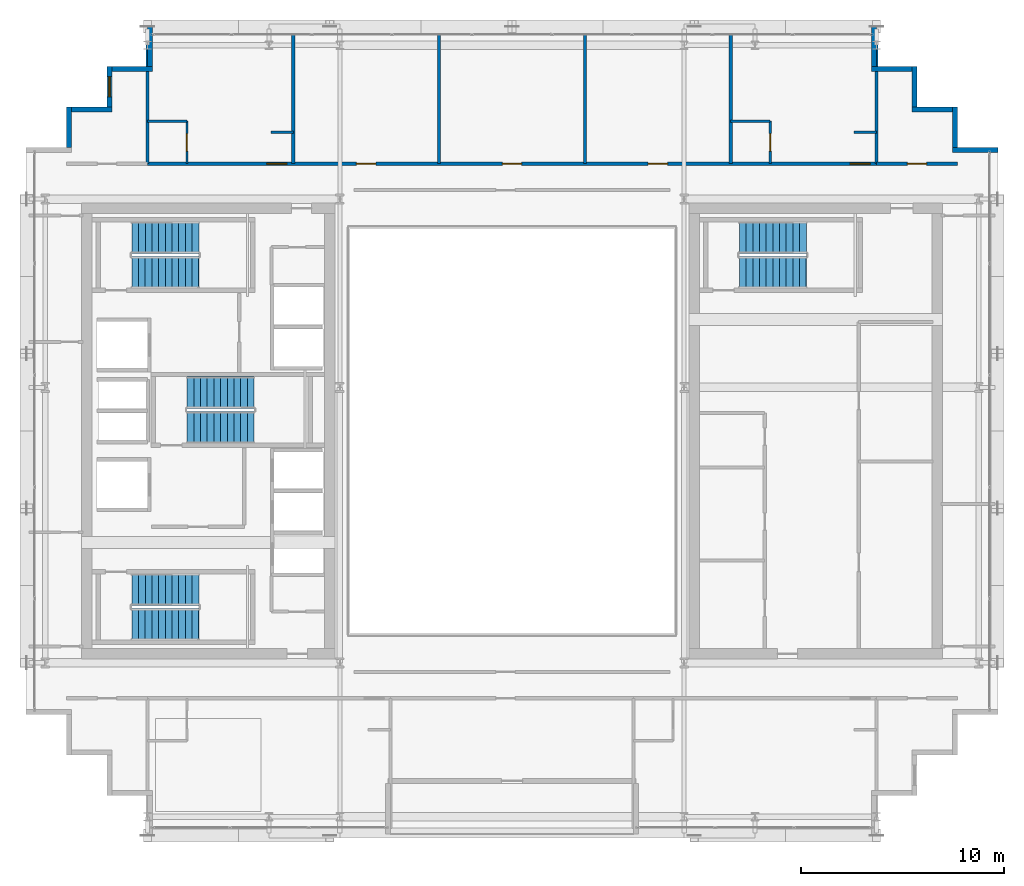
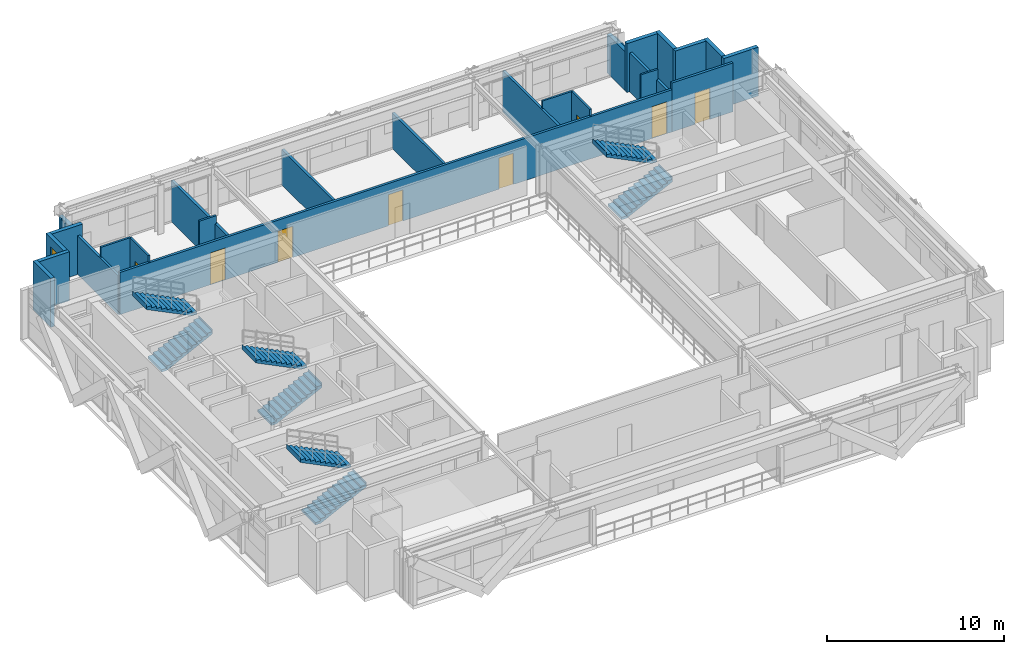
# One storey, part 27 of 31: 25 walls, 8 doors, 8 stair flights, 1 window, 9 openings, 4 elements without a shape of their own.
"""IFC4 building model written with IfcOpenShell, lengths in metres."""

from ifc_helpers import new_model, si_unit, direction, frame, frame_2d, origin, place, context, subcontext, project, spatial, polyline, rectangle, outline, extrude, source, transform, mapped, material, layer, layer_set, type_object, element, fill, aggregate, save


model = new_model("IFC4")

# Units and contexts
model_context = context("Model", 3, precision=1e-05, world=origin(), true_north=direction((0.0, 1.0)))
body_context = subcontext(model_context, "Body", "Model", "MODEL_VIEW")
ifc_project = project(units=[si_unit("LENGTHUNIT", "METRE"), si_unit("AREAUNIT", "SQUARE_METRE"), si_unit("VOLUMEUNIT", "CUBIC_METRE"), si_unit("PLANEANGLEUNIT", "RADIAN"), si_unit("MASSUNIT", "GRAM", prefix="KILO")], contexts=[model_context])

# Site, building, storey
site_placement = place(None, origin())
site = spatial("IfcSite", under=ifc_project, at=site_placement, CompositionType="ELEMENT")
building_placement = place(site_placement, origin())
building = spatial("IfcBuilding", under=site, at=building_placement, Name="Ocotamira Hotel", CompositionType="ELEMENT")
storey_placement = place(building_placement, frame((0.0, 0.0, 199.199951171875)))
storey = spatial("IfcBuildingStorey", under=building, at=storey_placement, Name="L50", CompositionType="ELEMENT", Elevation=199.199951171875)

# Walls
ifc_material_1 = material(Name="Precast concrete C45/55", Category="concrete")
ifc_layer_1 = layer(ifc_material_1, 0.25)
ifc_layer_set_1 = layer_set([ifc_layer_1], Name="Precast concrete C45/55")
wall_type_1 = type_object("IfcWallType", Name="WL-EXT-SER-250", PredefinedType="SOLIDWALL", material=ifc_layer_set_1)
wall_1_placement = place(storey_placement, frame((56.0, 39.875, 0.0), z_axis=(0.0, 0.0, 1.0), x_axis=(-1.0, 0.0, 0.0)))
element("IfcWall", 1, at=wall_1_placement, inside=storey, type_object=wall_type_1, Name="L50 Serrated Corner Wall 07", PredefinedType="SOLIDWALL", context=body_context, shape_type="SweptSolid", body=[
    extrude(rectangle(XDim=2.25, YDim=0.25, at=frame_2d((1.125, 0.0))), origin(), (0.0, 0.0, 1.0), 3.3701171875),
])
for number, where, z_axis, x_axis, name in (
    (2, (53.875, 40.0, 0.0), (0.0, 0.0, 1.0), (0.0, 1.0, 0.0), "L50 Serrated Corner Wall 08"),
    (3, (53.75, 41.875, 0.0), (0.0, 0.0, 1.0), (-1.0, 0.0, 0.0), "L50 Serrated Corner Wall 09"),
    (4, (51.875, 42.0, 0.0), (0.0, 0.0, 1.0), (0.0, 1.0, 0.0), "L50 Serrated Corner Wall 10"),
    (5, (51.75, 43.875, 0.0), (0.0, 0.0, 1.0), (-1.0, 0.0, 0.0), "L50 Serrated Corner Wall 11"),
):
    element("IfcWall", number, at=place(storey_placement, frame(where, z_axis=z_axis, x_axis=x_axis)), inside=storey, type_object=wall_type_1, Name=name, PredefinedType="SOLIDWALL", context=body_context, shape_type="SweptSolid", body=[
        extrude(rectangle(XDim=2.0, YDim=0.25, at=frame_2d((1.0, 0.0))), origin(), (0.0, 0.0, 1.0), 3.3701171875),
    ])
for number, where, z_axis, x_axis, name in (
    (6, (49.875, 44.0, 0.0), (0.0, 0.0, 1.0), (0.0, 1.0, 0.0), "L50 Serrated Corner Wall 12"),
    (7, (14.125, 46.0, 0.0), (0.0, 0.0, 1.0), (0.0, -1.0, 0.0), "L50 Serrated Corner Wall 13"),
):
    element("IfcWall", number, at=place(storey_placement, frame(where, z_axis=z_axis, x_axis=x_axis)), inside=storey, type_object=wall_type_1, Name=name, PredefinedType="SOLIDWALL", context=body_context, shape_type="SweptSolid", body=[
        extrude(rectangle(XDim=2.0, YDim=0.25, at=frame_2d((1.0, 0.0))), origin(), (0.0, 0.0, 1.0), 2.677001953125),
    ])
wall_2_placement = place(storey_placement, frame((14.25, 43.875, 0.0), z_axis=(0.0, 0.0, 1.0), x_axis=(-1.0, 0.0, 0.0)))
element("IfcWall", 8, at=wall_2_placement, inside=storey, type_object=wall_type_1, Name="L50 Serrated Corner Wall 14", PredefinedType="SOLIDWALL", context=body_context, shape_type="SweptSolid", body=[
    extrude(rectangle(XDim=2.0, YDim=0.25, at=frame_2d((1.0, 0.0))), origin(), (0.0, 0.0, 1.0), 3.3701171875),
])

# Wall, opening, window
wall_3_placement = place(storey_placement, frame((12.125, 44.0, 0.0), z_axis=(0.0, 0.0, 1.0), x_axis=(0.0, -1.0, 0.0)))
wall_3 = element("IfcWall", 9, at=wall_3_placement, inside=storey, type_object=wall_type_1, Name="L50 Serrated Corner Wall 15", PredefinedType="SOLIDWALL", context=body_context, shape_type="SweptSolid", body=[
    extrude(rectangle(XDim=2.0, YDim=0.25, at=frame_2d((1.0, 0.0))), origin(), (0.0, 0.0, 1.0), 3.3701171875),
])
opening_1_placement = place(wall_3_placement, frame((0.5, 0.0, 0.85009765625)))
opening_1 = element("IfcOpeningElement", 10, at=opening_1_placement, cuts=wall_3, Name="Opening WN-2", PredefinedType="OPENING", context=body_context, shape_type="SweptSolid", body=[
    extrude(rectangle(XDim=1.0, YDim=1.89990234375, at=frame_2d((0.5, 0.949951171875))), frame((0.0, 0.135009765625, 0.0), z_axis=(0.0, -1.0, 0.0), x_axis=(1.0, 0.0, 0.0)), (0.0, 0.0, 1.0), 0.27001953125),
])
ifc_material_2 = material(Name="Double-silver low-E solar glass", Category="glass")
window_type = type_object("IfcWindowType", Name="WIN-SER-1100", PartitioningType="SINGLE_PANEL", PredefinedType="WINDOW", material=ifc_material_2)
shared_shape_1 = source(origin(), body_context, "Body", "SweptSolid", [
    extrude(rectangle(XDim=1.0, YDim=1.89990234375, at=frame_2d((0.5, 0.949951171875))), frame((0.0, 0.030029296875, 0.0), z_axis=(0.0, -1.0, 0.0), x_axis=(1.0, 0.0, 0.0)), (0.0, 0.0, 1.0), 0.06005859375),
])
window_placement = place(opening_1_placement, origin())
window = element("IfcWindow", 11, at=window_placement, inside=storey, type_object=window_type, Name="L50 Serrated Corner Window 15", OverallHeight=1.89990234375, OverallWidth=1.0, PartitioningType="SINGLE_PANEL", PredefinedType="WINDOW", context=body_context, shape_type="MappedRepresentation", body=[
    mapped(shared_shape_1, transform((0.0, 0.0, 0.0), scale=1.0)),
])
fill(opening_1, window)

# Walls
for number, where, z_axis, x_axis, name in (
    (12, (12.25, 41.875, 0.0), (0.0, 0.0, 1.0), (-1.0, 0.0, 0.0), "L50 Serrated Corner Wall 16"),
    (13, (10.125, 42.0, 0.0), (0.0, 0.0, 1.0), (0.0, -1.0, 0.0), "L50 Serrated Corner Wall 17"),
):
    element("IfcWall", number, at=place(storey_placement, frame(where, z_axis=z_axis, x_axis=x_axis)), inside=storey, type_object=wall_type_1, Name=name, PredefinedType="SOLIDWALL", context=body_context, shape_type="SweptSolid", body=[
        extrude(rectangle(XDim=2.0, YDim=0.25, at=frame_2d((1.0, 0.0))), origin(), (0.0, 0.0, 1.0), 3.3701171875),
    ])

# Wall, opening, door
ifc_material_3 = material(Name="Acoustic double-layer fire gypsum board partition", Category="gypsum")
ifc_layer_2 = layer(ifc_material_3, 0.159912109375)
ifc_layer_set_2 = layer_set([ifc_layer_2], Name="Acoustic double-layer fire gypsum board partition")
wall_type_2 = type_object("IfcWallType", Name="WL-FIRE-160", PredefinedType="PARTITIONING", material=ifc_layer_set_2)
wall_4_placement = place(storey_placement, frame((50.0, 39.199951171875, 0.0), z_axis=(0.0, 0.0, 1.0), x_axis=(1.0, 0.0, 0.0)))
wall_4 = element("IfcWall", 14, at=wall_4_placement, inside=storey, type_object=wall_type_2, Name="L50 Interior Wall PW-L50-Z3D-CNE-CW", PredefinedType="PARTITIONING", context=body_context, shape_type="SweptSolid", body=[
    extrude(rectangle(XDim=4.0, YDim=0.159912109375, at=frame_2d((2.0, 0.0))), origin(), (0.0, 0.0, 1.0), 3.3701171875),
])
opening_2_placement = place(wall_4_placement, frame((1.52001953125, 0.0, 0.0)))
opening_2 = element("IfcOpeningElement", 15, at=opening_2_placement, cuts=wall_4, Name="Opening D-SV4", PredefinedType="OPENING", context=body_context, shape_type="SweptSolid", body=[
    extrude(rectangle(XDim=0.9599609375, YDim=2.14990234375, at=frame_2d((0.47998046875, 1.074951171875))), frame((0.0, 0.08984375, 0.0), z_axis=(0.0, -1.0, 0.0), x_axis=(1.0, 0.0, 0.0)), (0.0, 0.0, 1.0), 0.179931640625),
])
ifc_material_4 = material(Name="Fire-rated accessible walnut salon door", Category="wood")
door_type_1 = type_object("IfcDoorType", Name="DR-SERV-960", OperationType="NOTDEFINED", PredefinedType="DOOR", material=ifc_material_4)
shared_shape_2 = source(origin(), body_context, "Body", "SweptSolid", [
    extrude(rectangle(XDim=0.9599609375, YDim=2.14990234375, at=frame_2d((0.47998046875, 1.074951171875))), frame((0.0, 0.02490234375, 0.0), z_axis=(0.0, -1.0, 0.0), x_axis=(1.0, 0.0, 0.0)), (0.0, 0.0, 1.0), 0.050048828125),
])
door_1_placement = place(opening_2_placement, origin())
door_1 = element("IfcDoor", 16, at=door_1_placement, inside=storey, type_object=door_type_1, Name="L50 Door ID-L50-Z3D-CNE-CD [ID-L50-Z3D-CNE-CD]", OperationType="SINGLE_SWING_LEFT", OverallHeight=2.14990234375, OverallWidth=0.9599609375, PredefinedType="DOOR", context=body_context, shape_type="MappedRepresentation", body=[
    mapped(shared_shape_2, transform((0.0, 0.0, 0.0), scale=1.0)),
])
fill(opening_2, door_1)

# Wall, openings, doors
wall_5_placement = place(storey_placement, frame((14.0, 39.199951171875, 0.0), z_axis=(0.0, 0.0, 1.0), x_axis=(1.0, 0.0, 0.0)))
wall_5 = element("IfcWall", 17, at=wall_5_placement, inside=storey, type_object=wall_type_2, Name="L50 Interior Wall PW-L50-Z3DN-CORRW", PredefinedType="PARTITIONING", context=body_context, shape_type="SweptSolid", body=[
    extrude(rectangle(XDim=36.0, YDim=0.159912109375, at=frame_2d((18.0, 0.0))), origin(), (0.0, 0.0, 1.0), 2.9130859375),
])
opening_3_placement = place(wall_5_placement, frame((5.89990234375, 0.0, 0.0)))
opening_3 = element("IfcOpeningElement", 18, at=opening_3_placement, cuts=wall_5, Name="Opening D-GR2", PredefinedType="OPENING", context=body_context, shape_type="SweptSolid", body=[
    extrude(rectangle(XDim=0.97998046875, YDim=2.199951171875, at=frame_2d((0.489990234375, 1.10009765625))), frame((0.0, 0.08984375, 0.0), z_axis=(0.0, -1.0, 0.0), x_axis=(1.0, 0.0, 0.0)), (0.0, 0.0, 1.0), 0.179931640625),
])
opening_4_placement = place(wall_5_placement, frame((10.320068359375, 0.0, 0.0)))
opening_4 = element("IfcOpeningElement", 19, at=opening_4_placement, cuts=wall_5, Name="Opening D-SV4", PredefinedType="OPENING", context=body_context, shape_type="SweptSolid", body=[
    extrude(rectangle(XDim=0.9599609375, YDim=2.14990234375, at=frame_2d((0.47998046875, 1.074951171875))), frame((0.0, 0.08984375, 0.0), z_axis=(0.0, -1.0, 0.0), x_axis=(1.0, 0.0, 0.0)), (0.0, 0.0, 1.0), 0.179931640625),
])
opening_5_placement = place(wall_5_placement, frame((17.52001953125, 0.0, 0.0)))
opening_5 = element("IfcOpeningElement", 20, at=opening_5_placement, cuts=wall_5, Name="Opening D-SV4", PredefinedType="OPENING", context=body_context, shape_type="SweptSolid", body=[
    extrude(rectangle(XDim=0.9599609375, YDim=2.14990234375, at=frame_2d((0.47998046875, 1.074951171875))), frame((0.0, 0.08984375, 0.0), z_axis=(0.0, -1.0, 0.0), x_axis=(1.0, 0.0, 0.0)), (0.0, 0.0, 1.0), 0.179931640625),
])
opening_6_placement = place(wall_5_placement, frame((24.719970703125, 0.0, 0.0)))
opening_6 = element("IfcOpeningElement", 21, at=opening_6_placement, cuts=wall_5, Name="Opening D-SV4", PredefinedType="OPENING", context=body_context, shape_type="SweptSolid", body=[
    extrude(rectangle(XDim=0.9599609375, YDim=2.14990234375, at=frame_2d((0.47998046875, 1.074951171875))), frame((0.0, 0.08984375, 0.0), z_axis=(0.0, -1.0, 0.0), x_axis=(1.0, 0.0, 0.0)), (0.0, 0.0, 1.0), 0.179931640625),
])
opening_7_placement = place(wall_5_placement, frame((34.699951171875, 0.0, 0.0)))
opening_7 = element("IfcOpeningElement", 22, at=opening_7_placement, cuts=wall_5, Name="Opening D-GR2", PredefinedType="OPENING", context=body_context, shape_type="SweptSolid", body=[
    extrude(rectangle(XDim=0.97998046875, YDim=2.199951171875, at=frame_2d((0.489990234375, 1.10009765625))), frame((0.0, 0.08984375, 0.0), z_axis=(0.0, -1.0, 0.0), x_axis=(1.0, 0.0, 0.0)), (0.0, 0.0, 1.0), 0.179931640625),
])
door_2_placement = place(opening_4_placement, origin())
door_2 = element("IfcDoor", 23, at=door_2_placement, inside=storey, type_object=door_type_1, Name="L50 Door ID-L50-Z3DN-AMD2 [ID-L50-Z3DN-AMD2]", OperationType="SINGLE_SWING_RIGHT", OverallHeight=2.14990234375, OverallWidth=0.9599609375, PredefinedType="DOOR", context=body_context, shape_type="MappedRepresentation", body=[
    mapped(shared_shape_2, transform((0.0, 0.0, 0.0), scale=1.0)),
])
fill(opening_4, door_2)
door_3_placement = place(opening_5_placement, origin())
door_3 = element("IfcDoor", 24, at=door_3_placement, inside=storey, type_object=door_type_1, Name="L50 Door ID-L50-Z3DN-AMD3 [ID-L50-Z3DN-AMD3]", OperationType="SINGLE_SWING_LEFT", OverallHeight=2.14990234375, OverallWidth=0.9599609375, PredefinedType="DOOR", context=body_context, shape_type="MappedRepresentation", body=[
    mapped(shared_shape_2, transform((0.0, 0.0, 0.0), scale=1.0)),
])
fill(opening_5, door_3)
door_4_placement = place(opening_6_placement, origin())
door_4 = element("IfcDoor", 25, at=door_4_placement, inside=storey, type_object=door_type_1, Name="L50 Door ID-L50-Z3DN-AMD4 [ID-L50-Z3DN-AMD4]", OperationType="SINGLE_SWING_RIGHT", OverallHeight=2.14990234375, OverallWidth=0.9599609375, PredefinedType="DOOR", context=body_context, shape_type="MappedRepresentation", body=[
    mapped(shared_shape_2, transform((0.0, 0.0, 0.0), scale=1.0)),
])
fill(opening_6, door_4)
ifc_material_5 = material(Name="Solid-core walnut grand-suite entrance fire door", Category="wood")
door_type_2 = type_object("IfcDoorType", Name="DR-GUEST-980", OperationType="NOTDEFINED", PredefinedType="DOOR", material=ifc_material_5)
shared_shape_3 = source(origin(), body_context, "Body", "SweptSolid", [
    extrude(rectangle(XDim=0.97998046875, YDim=2.199951171875, at=frame_2d((0.489990234375, 1.10009765625))), frame((0.0, 0.02490234375, 0.0), z_axis=(0.0, -1.0, 0.0), x_axis=(1.0, 0.0, 0.0)), (0.0, 0.0, 1.0), 0.050048828125),
])
door_5_placement = place(opening_3_placement, origin())
door_5 = element("IfcDoor", 26, at=door_5_placement, inside=storey, type_object=door_type_2, Name="L50 Door ID-L50-Z3DN-RMD1 [ID-L50-Z3DN-RMD1]", OperationType="SINGLE_SWING_LEFT", OverallHeight=2.199951171875, OverallWidth=0.97998046875, PredefinedType="DOOR", context=body_context, shape_type="MappedRepresentation", body=[
    mapped(shared_shape_3, transform((0.0, 0.0, 0.0), scale=1.0)),
])
fill(opening_3, door_5)
door_6_placement = place(opening_7_placement, origin())
door_6 = element("IfcDoor", 27, at=door_6_placement, inside=storey, type_object=door_type_2, Name="L50 Door ID-L50-Z3DN-RMD5 [ID-L50-Z3DN-RMD5]", OperationType="SINGLE_SWING_LEFT", OverallHeight=2.199951171875, OverallWidth=0.97998046875, PredefinedType="DOOR", context=body_context, shape_type="MappedRepresentation", body=[
    mapped(shared_shape_3, transform((0.0, 0.0, 0.0), scale=1.0)),
])
fill(opening_7, door_6)

# Wall, opening, door
ifc_material_6 = material(Name="Moisture-resistant en-suite tile and gypsum partition", Category="gypsum")
ifc_layer_3 = layer(ifc_material_6, 0.1201171875)
ifc_layer_set_3 = layer_set([ifc_layer_3], Name="Moisture-resistant en-suite tile and gypsum partition")
wall_type_3 = type_object("IfcWallType", Name="WL-PART-120", PredefinedType="PARTITIONING", material=ifc_layer_set_3)
wall_6_placement = place(storey_placement, frame((15.949951171875, 39.199951171875, 0.0), z_axis=(0.0, 0.0, 1.0), x_axis=(0.0, 1.0, 0.0)))
wall_6 = element("IfcWall", 28, at=wall_6_placement, inside=storey, type_object=wall_type_3, Name="L50 Interior Wall PW-L50-Z3DN-BAE1", PredefinedType="PARTITIONING", context=body_context, shape_type="SweptSolid", body=[
    extrude(rectangle(XDim=2.10009765625, YDim=0.1201171875, at=frame_2d((1.050048828125, 0.0))), origin(), (0.0, 0.0, 1.0), 3.3701171875),
])
opening_8_placement = place(wall_6_placement, frame((0.6201171875, 0.0, 0.0)))
opening_8 = element("IfcOpeningElement", 29, at=opening_8_placement, cuts=wall_6, Name="Opening D-BA1", PredefinedType="OPENING", context=body_context, shape_type="SweptSolid", body=[
    extrude(rectangle(XDim=0.860107421875, YDim=2.10009765625, at=frame_2d((0.43017578125, 1.050048828125))), frame((0.0, 0.070068359375, 0.0), z_axis=(0.0, -1.0, 0.0), x_axis=(1.0, 0.0, 0.0)), (0.0, 0.0, 1.0), 0.14013671875),
])
ifc_material_7 = material(Name="Moisture-sealed en-suite timber door", Category="wood")
door_type_3 = type_object("IfcDoorType", Name="DR-BATH-860", OperationType="NOTDEFINED", PredefinedType="DOOR", material=ifc_material_7)
shared_shape_4 = source(origin(), body_context, "Body", "SweptSolid", [
    extrude(rectangle(XDim=0.860107421875, YDim=2.10009765625, at=frame_2d((0.43017578125, 1.050048828125))), frame((0.0, 0.02490234375, 0.0), z_axis=(0.0, -1.0, 0.0), x_axis=(1.0, 0.0, 0.0)), (0.0, 0.0, 1.0), 0.050048828125),
])
door_7_placement = place(opening_8_placement, origin())
door_7 = element("IfcDoor", 30, at=door_7_placement, inside=storey, type_object=door_type_3, Name="L50 Door ID-L50-Z3DN-BAD1 [ID-L50-Z3DN-BAD1]", OperationType="SINGLE_SWING_RIGHT", OverallHeight=2.10009765625, OverallWidth=0.860107421875, PredefinedType="DOOR", context=body_context, shape_type="MappedRepresentation", body=[
    mapped(shared_shape_4, transform((0.0, 0.0, 0.0), scale=1.0)),
])
fill(opening_8, door_7)

# Walls
wall_7_placement = place(storey_placement, frame((14.0, 41.300048828125, 0.0), z_axis=(0.0, 0.0, 1.0), x_axis=(1.0, 0.0, 0.0)))
element("IfcWall", 31, at=wall_7_placement, inside=storey, type_object=wall_type_3, Name="L50 Interior Wall PW-L50-Z3DN-BAN1", PredefinedType="PARTITIONING", context=body_context, shape_type="SweptSolid", body=[
    extrude(rectangle(XDim=1.949951171875, YDim=0.1201171875, at=frame_2d((0.97509765625, 0.0))), origin(), (0.0, 0.0, 1.0), 3.3701171875),
])
wall_8_placement = place(storey_placement, frame((20.10009765625, 40.75, 0.0), z_axis=(0.0, 0.0, 1.0), x_axis=(1.0, 0.0, 0.0)))
element("IfcWall", 32, at=wall_8_placement, inside=storey, type_object=wall_type_3, Name="L50 Interior Wall PW-L50-Z3DN-DRN1", PredefinedType="PARTITIONING", context=body_context, shape_type="SweptSolid", body=[
    extrude(rectangle(XDim=1.099853515625, YDim=0.1201171875, at=frame_2d((0.5498046875, 0.0))), origin(), (0.0, 0.0, 1.0), 3.3701171875),
])

# Wall, opening, door
wall_9_placement = place(storey_placement, frame((44.75, 39.199951171875, 0.0), z_axis=(0.0, 0.0, 1.0), x_axis=(0.0, 1.0, 0.0)))
wall_9 = element("IfcWall", 33, at=wall_9_placement, inside=storey, type_object=wall_type_3, Name="L50 Interior Wall PW-L50-Z3DN-BAE5", PredefinedType="PARTITIONING", context=body_context, shape_type="SweptSolid", body=[
    extrude(rectangle(XDim=2.10009765625, YDim=0.1201171875, at=frame_2d((1.050048828125, 0.0))), origin(), (0.0, 0.0, 1.0), 3.3701171875),
])
opening_9_placement = place(wall_9_placement, frame((0.6201171875, 0.0, 0.0)))
opening_9 = element("IfcOpeningElement", 34, at=opening_9_placement, cuts=wall_9, Name="Opening D-BA1", PredefinedType="OPENING", context=body_context, shape_type="SweptSolid", body=[
    extrude(rectangle(XDim=0.860107421875, YDim=2.10009765625, at=frame_2d((0.43017578125, 1.050048828125))), frame((0.0, 0.070068359375, 0.0), z_axis=(0.0, -1.0, 0.0), x_axis=(1.0, 0.0, 0.0)), (0.0, 0.0, 1.0), 0.14013671875),
])
door_8_placement = place(opening_9_placement, origin())
door_8 = element("IfcDoor", 35, at=door_8_placement, inside=storey, type_object=door_type_3, Name="L50 Door ID-L50-Z3DN-BAD5 [ID-L50-Z3DN-BAD5]", OperationType="SINGLE_SWING_RIGHT", OverallHeight=2.10009765625, OverallWidth=0.860107421875, PredefinedType="DOOR", context=body_context, shape_type="MappedRepresentation", body=[
    mapped(shared_shape_4, transform((0.0, 0.0, 0.0), scale=1.0)),
])
fill(opening_9, door_8)

# Walls
wall_10_placement = place(storey_placement, frame((42.800048828125, 41.300048828125, 0.0), z_axis=(0.0, 0.0, 1.0), x_axis=(1.0, 0.0, 0.0)))
element("IfcWall", 36, at=wall_10_placement, inside=storey, type_object=wall_type_3, Name="L50 Interior Wall PW-L50-Z3DN-BAN5", PredefinedType="PARTITIONING", context=body_context, shape_type="SweptSolid", body=[
    extrude(rectangle(XDim=1.949951171875, YDim=0.1201171875, at=frame_2d((0.97509765625, 0.0))), origin(), (0.0, 0.0, 1.0), 3.3701171875),
])
wall_11_placement = place(storey_placement, frame((48.89990234375, 40.75, 0.0), z_axis=(0.0, 0.0, 1.0), x_axis=(1.0, 0.0, 0.0)))
element("IfcWall", 37, at=wall_11_placement, inside=storey, type_object=wall_type_3, Name="L50 Interior Wall PW-L50-Z3DN-DRN5", PredefinedType="PARTITIONING", context=body_context, shape_type="SweptSolid", body=[
    extrude(rectangle(XDim=1.10009765625, YDim=0.1201171875, at=frame_2d((0.550048828125, 0.0))), origin(), (0.0, 0.0, 1.0), 3.3701171875),
])
ifc_material_8 = material(Name="Acoustic double-stud hospitality gypsum partition", Category="gypsum")
ifc_layer_4 = layer(ifc_material_8, 0.159912109375)
ifc_layer_set_4 = layer_set([ifc_layer_4], Name="Acoustic double-stud hospitality gypsum partition")
wall_type_4 = type_object("IfcWallType", Name="WL-PART-160", PredefinedType="PARTITIONING", material=ifc_layer_set_4)
for number, where, z_axis, x_axis, name in (
    (38, (14.0, 39.199951171875, 0.0), (0.0, 0.0, 1.0), (0.0, 1.0, 0.0), "L50 Interior Wall PW-L50-Z3DN-PW0"),
    (39, (50.0, 39.199951171875, 0.0), (0.0, 0.0, 1.0), (0.0, 1.0, 0.0), "L50 Interior Wall PW-L50-Z3DN-PWEND"),
):
    element("IfcWall", number, at=place(storey_placement, frame(where, z_axis=z_axis, x_axis=x_axis)), inside=storey, type_object=wall_type_4, Name=name, PredefinedType="PARTITIONING", context=body_context, shape_type="SweptSolid", body=[
        extrude(rectangle(XDim=6.43994140625, YDim=0.159912109375, at=frame_2d((3.219970703125, 0.0))), origin(), (0.0, 0.0, 1.0), 2.677001953125),
    ])
for number, where, z_axis, x_axis, name in (
    (40, (28.39990234375, 39.199951171875, 0.0), (0.0, 0.0, 1.0), (0.0, 1.0, 0.0), "L50 Interior Wall PW-L50-Z3DN-PW2"),
    (41, (35.60009765625, 39.199951171875, 0.0), (0.0, 0.0, 1.0), (0.0, 1.0, 0.0), "L50 Interior Wall PW-L50-Z3DN-PW3"),
):
    element("IfcWall", number, at=place(storey_placement, frame(where, z_axis=z_axis, x_axis=x_axis)), inside=storey, type_object=wall_type_4, Name=name, PredefinedType="PARTITIONING", context=body_context, shape_type="SweptSolid", body=[
        extrude(rectangle(XDim=6.43994140625, YDim=0.159912109375, at=frame_2d((3.219970703125, 0.0))), origin(), (0.0, 0.0, 1.0), 2.443115234375),
    ])
wall_12_placement = place(storey_placement, frame((42.800048828125, 39.199951171875, 0.0), z_axis=(0.0, 0.0, 1.0), x_axis=(0.0, 1.0, 0.0)))
element("IfcWall", 42, at=wall_12_placement, inside=storey, type_object=wall_type_4, Name="L50 Interior Wall PW-L50-Z3DN-PW4", PredefinedType="PARTITIONING", context=body_context, shape_type="SweptSolid", body=[
    extrude(rectangle(XDim=6.43994140625, YDim=0.159912109375, at=frame_2d((3.219970703125, 0.0))), origin(), (0.0, 0.0, 1.0), 2.8330078125),
])
ifc_material_9 = material(Name="Double-stud suite party gypsum partition", Category="gypsum")
ifc_layer_5 = layer(ifc_material_9, 0.175048828125)
ifc_layer_set_5 = layer_set([ifc_layer_5], Name="Double-stud suite party gypsum partition")
wall_type_5 = type_object("IfcWallType", Name="WL-PART-175", PredefinedType="PARTITIONING", material=ifc_layer_set_5)
wall_13_placement = place(storey_placement, frame((21.199951171875, 39.199951171875, 0.0), z_axis=(0.0, 0.0, 1.0), x_axis=(0.0, 1.0, 0.0)))
element("IfcWall", 43, at=wall_13_placement, inside=storey, type_object=wall_type_5, Name="L50 Interior Wall PW-L50-Z3DN-PW1", PredefinedType="PARTITIONING", context=body_context, shape_type="SweptSolid", body=[
    extrude(rectangle(XDim=6.43994140625, YDim=0.175048828125, at=frame_2d((3.219970703125, 0.0))), origin(), (0.0, 0.0, 1.0), 2.8330078125),
])

# Stair, stair flights
ifc_material_10 = material(Name="Concrete C40/50", Category="concrete")
stair_type = type_object("IfcStairType", Name="ST-CORE-1560", PredefinedType="HALF_TURN_STAIR", material=ifc_material_10)
stair_1_placement = place(storey_placement, origin())
stair_1 = element("IfcStair", 44, at=stair_1_placement, inside=storey, type_object=stair_type, Name="L50 Exit Stair ST-1", PredefinedType="HALF_TURN_STAIR")
stair_flight_type = type_object("IfcStairFlightType", Name="STF-CORE-1560", PredefinedType="STRAIGHT", material=ifc_material_10)
shared_shape_5 = source(origin(), body_context, "Body", "SweptSolid", [
    extrude(outline(polyline([(-0.00390625, 0.0), (-0.00390625, 0.16357421875), (0.330078125, 0.16357421875), (0.330078125, 0.327392578125), (0.659912109375, 0.327392578125), (0.659912109375, 0.490966796875), (0.989990234375, 0.490966796875), (0.989990234375, 0.654541015625), (1.320068359375, 0.654541015625), (1.320068359375, 0.818115234375), (1.64990234375, 0.818115234375), (1.64990234375, 0.98193359375), (1.97998046875, 0.98193359375), (1.97998046875, 1.1455078125), (2.31005859375, 1.1455078125), (2.31005859375, 1.30908203125), (2.639892578125, 1.30908203125), (2.639892578125, 1.47265625), (2.969970703125, 1.47265625), (2.969970703125, 1.636474609375), (3.300048828125, 1.636474609375), (3.300048828125, 1.800048828125), (3.303955078125, 1.800048828125), (3.303955078125, 1.468994140625), (0.33740234375, 0.0), (-0.00390625, 0.0)])), frame((0.0, 0.780029296875, 0.0), z_axis=(0.0, -1.0, 0.0), x_axis=(1.0, 0.0, 0.0)), (0.0, 0.0, 1.0), 1.56005859375),
])
stair_flight_1_placement = place(storey_placement, frame((13.22998046875, 16.449951171875, 0.0), z_axis=(0.0, 0.0, 1.0), x_axis=(1.0, 0.0, 0.0)))
stair_flight_1 = element("IfcStairFlight", 45, at=stair_flight_1_placement, type_object=stair_flight_type, Name="ST-1 flight 1", NumberOfRisers=11, NumberOfTreads=10, PredefinedType="STRAIGHT", RiserHeight=0.163636364, TreadLength=0.33, context=body_context, shape_type="MappedRepresentation", body=[
    mapped(shared_shape_5, transform((0.0, 0.0, 0.0), scale=1.0)),
])
stair_flight_2_placement = place(storey_placement, frame((16.530029296875, 18.169921875, 1.800048828125), z_axis=(0.0, 0.0, 1.0), x_axis=(-1.0, 0.0, 0.0)))
stair_flight_2 = element("IfcStairFlight", 46, at=stair_flight_2_placement, type_object=stair_flight_type, Name="ST-1 flight 2", NumberOfRisers=11, NumberOfTreads=10, PredefinedType="STRAIGHT", RiserHeight=0.163636364, TreadLength=0.33, context=body_context, shape_type="MappedRepresentation", body=[
    mapped(shared_shape_5, transform((0.0, 0.0, 0.0), scale=1.0)),
])
aggregate(stair_1, [stair_flight_1, stair_flight_2])

stair_2_placement = place(storey_placement, origin())
stair_2 = element("IfcStair", 47, at=stair_2_placement, inside=storey, type_object=stair_type, Name="L50 Exit Stair ST-2", PredefinedType="HALF_TURN_STAIR")
stair_flight_3_placement = place(storey_placement, frame((13.22998046875, 33.830078125, 0.0), z_axis=(0.0, 0.0, 1.0), x_axis=(1.0, 0.0, 0.0)))
stair_flight_3 = element("IfcStairFlight", 48, at=stair_flight_3_placement, type_object=stair_flight_type, Name="ST-2 flight 1", NumberOfRisers=11, NumberOfTreads=10, PredefinedType="STRAIGHT", RiserHeight=0.163636364, TreadLength=0.33, context=body_context, shape_type="MappedRepresentation", body=[
    mapped(shared_shape_5, transform((0.0, 0.0, 0.0), scale=1.0)),
])
stair_flight_4_placement = place(storey_placement, frame((16.530029296875, 35.550048828125, 1.800048828125), z_axis=(0.0, 0.0, 1.0), x_axis=(-1.0, 0.0, 0.0)))
stair_flight_4 = element("IfcStairFlight", 49, at=stair_flight_4_placement, type_object=stair_flight_type, Name="ST-2 flight 2", NumberOfRisers=11, NumberOfTreads=10, PredefinedType="STRAIGHT", RiserHeight=0.163636364, TreadLength=0.33, context=body_context, shape_type="MappedRepresentation", body=[
    mapped(shared_shape_5, transform((0.0, 0.0, 0.0), scale=1.0)),
])
aggregate(stair_2, [stair_flight_3, stair_flight_4])

stair_3_placement = place(storey_placement, origin())
stair_3 = element("IfcStair", 50, at=stair_3_placement, inside=storey, type_object=stair_type, Name="L50 Exit Stair ST-3", PredefinedType="HALF_TURN_STAIR")
stair_flight_5_placement = place(storey_placement, frame((15.9599609375, 26.179931640625, 0.0), z_axis=(0.0, 0.0, 1.0), x_axis=(1.0, 0.0, 0.0)))
stair_flight_5 = element("IfcStairFlight", 51, at=stair_flight_5_placement, type_object=stair_flight_type, Name="ST-3 flight 1", NumberOfRisers=11, NumberOfTreads=10, PredefinedType="STRAIGHT", RiserHeight=0.163636364, TreadLength=0.33, context=body_context, shape_type="MappedRepresentation", body=[
    mapped(shared_shape_5, transform((0.0, 0.0, 0.0), scale=1.0)),
])
stair_flight_6_placement = place(storey_placement, frame((19.260009765625, 27.89990234375, 1.800048828125), z_axis=(0.0, 0.0, 1.0), x_axis=(-1.0, 0.0, 0.0)))
stair_flight_6 = element("IfcStairFlight", 52, at=stair_flight_6_placement, type_object=stair_flight_type, Name="ST-3 flight 2", NumberOfRisers=11, NumberOfTreads=10, PredefinedType="STRAIGHT", RiserHeight=0.163636364, TreadLength=0.33, context=body_context, shape_type="MappedRepresentation", body=[
    mapped(shared_shape_5, transform((0.0, 0.0, 0.0), scale=1.0)),
])
aggregate(stair_3, [stair_flight_5, stair_flight_6])

stair_4_placement = place(storey_placement, origin())
stair_4 = element("IfcStair", 53, at=stair_4_placement, inside=storey, type_object=stair_type, Name="L50 Exit Stair ST-4", PredefinedType="HALF_TURN_STAIR")
stair_flight_7_placement = place(storey_placement, frame((43.22998046875, 33.830078125, 0.0), z_axis=(0.0, 0.0, 1.0), x_axis=(1.0, 0.0, 0.0)))
stair_flight_7 = element("IfcStairFlight", 54, at=stair_flight_7_placement, type_object=stair_flight_type, Name="ST-4 flight 1", NumberOfRisers=11, NumberOfTreads=10, PredefinedType="STRAIGHT", RiserHeight=0.163636364, TreadLength=0.33, context=body_context, shape_type="MappedRepresentation", body=[
    mapped(shared_shape_5, transform((0.0, 0.0, 0.0), scale=1.0)),
])
stair_flight_8_placement = place(storey_placement, frame((46.530029296875, 35.550048828125, 1.800048828125), z_axis=(0.0, 0.0, 1.0), x_axis=(-1.0, 0.0, 0.0)))
stair_flight_8 = element("IfcStairFlight", 55, at=stair_flight_8_placement, type_object=stair_flight_type, Name="ST-4 flight 2", NumberOfRisers=11, NumberOfTreads=10, PredefinedType="STRAIGHT", RiserHeight=0.163636364, TreadLength=0.33, context=body_context, shape_type="MappedRepresentation", body=[
    mapped(shared_shape_5, transform((0.0, 0.0, 0.0), scale=1.0)),
])
aggregate(stair_4, [stair_flight_7, stair_flight_8])

save(model, "model.ifc")
